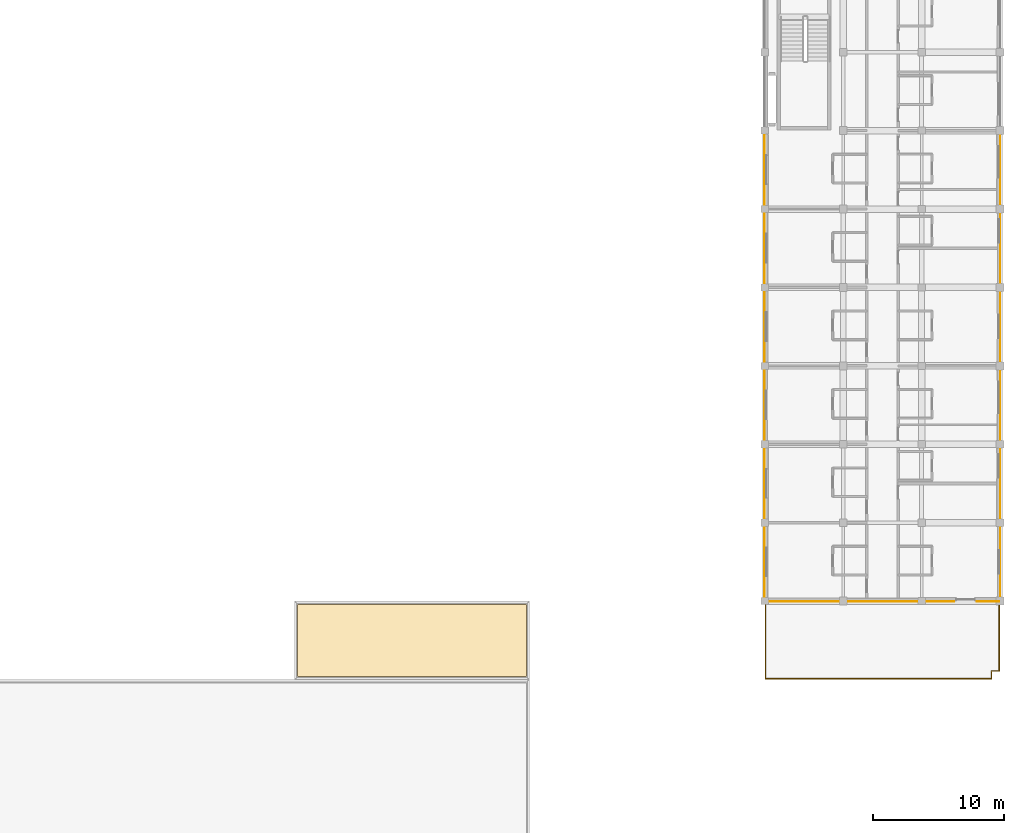
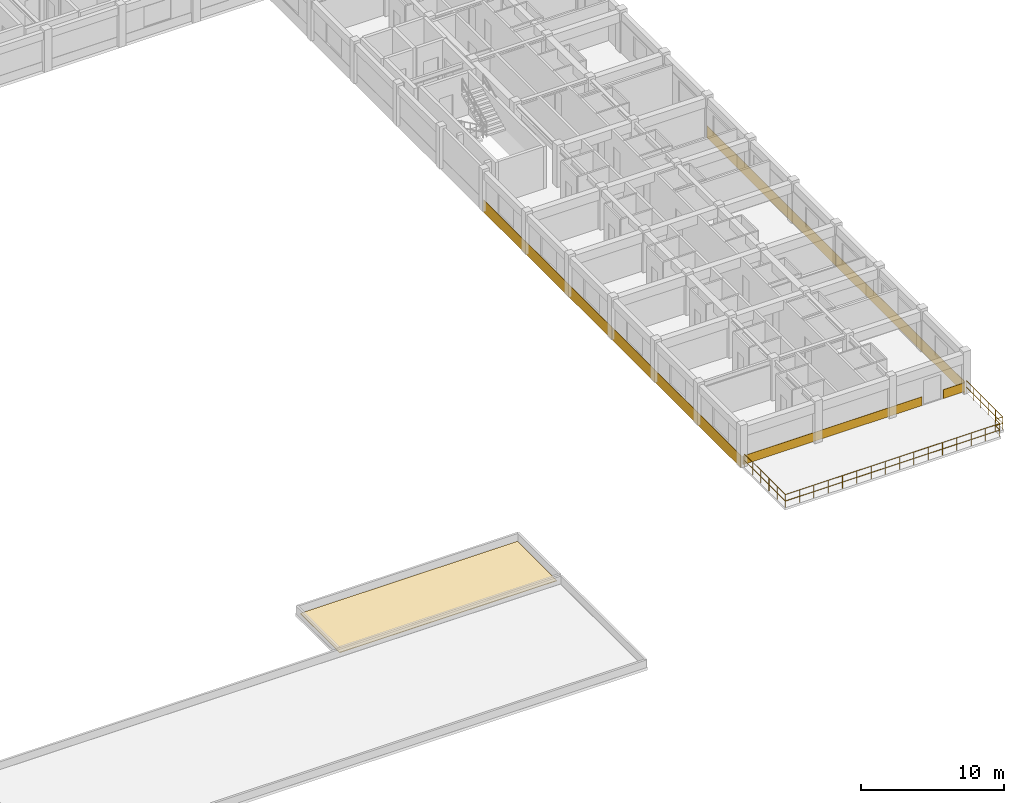
# One storey, part 22 of 25: 7 coverings, 2 railings.
"""IFC4 building model written with IfcOpenShell, lengths in metres."""

from ifc_helpers import new_model, si_unit, direction, frame, origin, origin_2d, place, context, subcontext, project, spatial, polyline, circle, outline, extrude, material, layer, layer_set, type_object, element, save


model = new_model("IFC4")

# Units and contexts
model_context = context("Model", 3, precision=1e-05, world=origin(), true_north=direction((0.0, 1.0)))
body_context = subcontext(model_context, "Body", "Model", "MODEL_VIEW")
ifc_project = project(units=[si_unit("LENGTHUNIT", "METRE"), si_unit("AREAUNIT", "SQUARE_METRE"), si_unit("VOLUMEUNIT", "CUBIC_METRE"), si_unit("PLANEANGLEUNIT", "RADIAN"), si_unit("MASSUNIT", "GRAM", prefix="KILO"), si_unit("THERMODYNAMICTEMPERATUREUNIT", "KELVIN"), si_unit("POWERUNIT", "WATT")], contexts=[model_context])

# Site, building, storey
site_placement = place(None, origin())
site = spatial("IfcSite", under=ifc_project, at=site_placement, CompositionType="ELEMENT")
building_placement = place(site_placement, origin())
building = spatial("IfcBuilding", under=site, at=building_placement, Name="Phaisarnlok Congress Hotel", CompositionType="ELEMENT")
storey_placement = place(building_placement, frame((0.0, 0.0, 24.60009765625)))
storey = spatial("IfcBuildingStorey", under=building, at=storey_placement, Name="L05", CompositionType="ELEMENT", Elevation=24.60009765625)

# Coverings
ifc_material_1 = material(Name="TPO Waterproofing Membrane & Rigid PIR Insulation", Category="other")
ifc_layer_1 = layer(ifc_material_1, 0.050048828125, Name="TPO Waterproofing Membrane & Rigid PIR Insulation")
ifc_layer_set_1 = layer_set([ifc_layer_1], Name="TPO Waterproofing Membrane & Rigid PIR Insulation")
covering_type_1 = type_object("IfcCoveringType", Name="COV-ROOF-MEMB", PredefinedType="ROOFING", material=ifc_layer_set_1)
covering_1_placement = place(storey_placement, origin())
element("IfcCovering", 1, at=covering_1_placement, inside=storey, type_object=covering_type_1, Name="Podium roof waterproofing membrane RF-01 (L05 pod_core6_cap)", PredefinedType="ROOFING", context=body_context, shape_type="SweptSolid", body=[
    extrude(outline(polyline([(126.25, 36.25), (143.75, 36.25), (143.75, 41.75), (126.25, 41.75), (126.25, 36.25)])), origin(), (0.0, 0.0, 1.0), 0.0498046875),
])
ifc_material_2 = material(Name="Anodised Silver Aluminium Alloy 6063-T6", Category="aluminium")
ifc_layer_2 = layer(ifc_material_2, 0.031982421875, Name="Anodised Silver Aluminium Alloy 6063-T6")
ifc_layer_set_2 = layer_set([ifc_layer_2], Name="Anodised Silver Aluminium Alloy 6063-T6")
covering_type_2 = type_object("IfcCoveringType", Name="COV-SPAND-ALU", PredefinedType="CLADDING", material=ifc_layer_set_2)
for number, where, z_axis, x_axis, name in (
    (2, (179.9951171875, 42.06005859375, -0.280029296875), (1.0, 0.0, 0.0), (0.0, 1.0, 0.0), "Swiss minimalist anodised silver rainscreen band CL-02 (L05 E)"),
    (3, (179.9951171875, 60.06005859375, -0.280029296875), (1.0, 0.0, 0.0), (0.0, 1.0, 0.0), "Swiss minimalist anodised silver rainscreen band CL-02 (L05 E)"),
    (4, (162.0048828125, 60.06005859375, -0.280029296875), (-1.0, 0.0, 0.0), (0.0, -1.0, 0.0), "Swiss minimalist anodised silver rainscreen band CL-02 (L05 W)"),
    (5, (162.0048828125, 78.06005859375, -0.280029296875), (-1.0, 0.0, 0.0), (0.0, -1.0, 0.0), "Swiss minimalist anodised silver rainscreen band CL-02 (L05 W)"),
):
    element("IfcCovering", number, at=place(storey_placement, frame(where, z_axis=z_axis, x_axis=x_axis)), inside=storey, type_object=covering_type_2, Name=name, PredefinedType="CLADDING", context=body_context, shape_type="SweptSolid", body=[
        extrude(outline(polyline([(0.0, 0.0), (18.0, 0.0), (18.0, 1.050048828125), (0.0, 1.050048828125), (0.0, 0.0)])), origin(), (0.0, 0.0, 1.0), 0.031982421875),
    ])
covering_2_placement = place(storey_placement, frame((162.06005859375, 42.0048828125, 0.02001953125), z_axis=(0.0, -1.0, 0.0), x_axis=(1.0, 0.0, 0.0)))
element("IfcCovering", 6, at=covering_2_placement, inside=storey, type_object=covering_type_2, Name="Swiss minimalist anodised silver rainscreen band CL-02 (L05 SG)", PredefinedType="CLADDING", context=body_context, shape_type="SweptSolid", body=[
    extrude(outline(polyline([(0.0, 0.0), (14.427001953125, 0.0), (14.427001953125, 0.75), (0.0, 0.75), (0.0, 0.0)])), origin(), (0.0, 0.0, 1.0), 0.031982421875),
])
covering_3_placement = place(storey_placement, frame((178.20703125, 42.0048828125, 0.02001953125), z_axis=(0.0, -1.0, 0.0), x_axis=(1.0, 0.0, 0.0)))
element("IfcCovering", 7, at=covering_3_placement, inside=storey, type_object=covering_type_2, Name="Swiss minimalist anodised silver rainscreen band CL-02 (L05 SG)", PredefinedType="CLADDING", context=body_context, shape_type="SweptSolid", body=[
    extrude(outline(polyline([(0.0, 0.0), (1.73291015625, 0.0), (1.73291015625, 0.75), (0.0, 0.75), (0.0, 0.0)])), origin(), (0.0, 0.0, 1.0), 0.031982421875),
])

# Railings
ifc_material_3 = material(Name="Laminated Glass & Stainless Steel Grade 316", Category="steel")
railing_type = type_object("IfcRailingType", Name="RLG-TER-1100", PredefinedType="BALUSTRADE", material=ifc_material_3)
railing_1_placement = place(storey_placement, frame((162.06005859375, 36.06005859375, 0.0)))
element("IfcRailing", 8, at=railing_1_placement, inside=storey, type_object=railing_type, Name="Terrace balustrade guard GD-01 (L05 south_terrace_5)", PredefinedType="BALUSTRADE", context=body_context, shape_type="SweptSolid", body=[
    extrude(circle(Radius=0.02392578125, at=origin_2d()), frame((0.0, 0.0, 1.076171875), z_axis=(0.0, 1.0, 0.0), x_axis=(-1.0, 0.0, 0.0)), (0.0, 0.0, 1.0), 5.699951171875),
    extrude(circle(Radius=0.02392578125, at=origin_2d()), frame((0.0, 0.0, 0.52587890625), z_axis=(0.0, 1.0, 0.0), x_axis=(-1.0, 0.0, 0.0)), (0.0, 0.0, 1.0), 5.699951171875),
    extrude(circle(Radius=0.02099609375, at=origin_2d()), origin(), (0.0, 0.0, 1.0), 1.052001953125),
    extrude(circle(Radius=0.02099609375, at=origin_2d()), frame((0.0, 1.139892578125, 0.0)), (0.0, 0.0, 1.0), 1.052001953125),
    extrude(circle(Radius=0.02099609375, at=origin_2d()), frame((0.0, 2.280029296875, 0.0)), (0.0, 0.0, 1.0), 1.052001953125),
    extrude(circle(Radius=0.02099609375, at=origin_2d()), frame((0.0, 3.419921875, 0.0)), (0.0, 0.0, 1.0), 1.052001953125),
    extrude(circle(Radius=0.02099609375, at=origin_2d()), frame((0.0, 4.56005859375, 0.0)), (0.0, 0.0, 1.0), 1.052001953125),
    extrude(circle(Radius=0.02099609375, at=origin_2d()), frame((0.0, 5.699951171875, 0.0)), (0.0, 0.0, 1.0), 1.052001953125),
])
railing_2_placement = place(storey_placement, frame((179.93994140625, 41.760009765625, 0.0)))
element("IfcRailing", 9, at=railing_2_placement, inside=storey, type_object=railing_type, Name="Terrace balustrade guard GD-01 (L05 south_terrace_5)", PredefinedType="BALUSTRADE", context=body_context, shape_type="SweptSolid", body=[
    extrude(circle(Radius=0.02392578125, at=origin_2d()), frame((0.0, 0.0, 1.076171875), z_axis=(0.0, -1.0, 0.0), x_axis=(1.0, 0.0, 0.0)), (0.0, 0.0, 1.0), 5.10009765625),
    extrude(circle(Radius=0.02392578125, at=origin_2d()), frame((0.0, 0.0, 0.52587890625), z_axis=(0.0, -1.0, 0.0), x_axis=(1.0, 0.0, 0.0)), (0.0, 0.0, 1.0), 5.10009765625),
    extrude(circle(Radius=0.02392578125, at=origin_2d()), frame((0.0, -5.10009765625, 1.076171875), z_axis=(-1.0, 0.0, 0.0), x_axis=(0.0, -1.0, 0.0)), (0.0, 0.0, 1.0), 0.599853515625),
    extrude(circle(Radius=0.02392578125, at=origin_2d()), frame((0.0, -5.10009765625, 0.52587890625), z_axis=(-1.0, 0.0, 0.0), x_axis=(0.0, -1.0, 0.0)), (0.0, 0.0, 1.0), 0.599853515625),
    extrude(circle(Radius=0.02392578125, at=origin_2d()), frame((-0.599853515625, -5.10009765625, 1.076171875), z_axis=(0.0, -1.0, 0.0), x_axis=(1.0, 0.0, 0.0)), (0.0, 0.0, 1.0), 0.599853515625),
    extrude(circle(Radius=0.02392578125, at=origin_2d()), frame((-0.599853515625, -5.10009765625, 0.52587890625), z_axis=(0.0, -1.0, 0.0), x_axis=(1.0, 0.0, 0.0)), (0.0, 0.0, 1.0), 0.599853515625),
    extrude(circle(Radius=0.02392578125, at=origin_2d()), frame((-0.599853515625, -5.699951171875, 1.076171875), z_axis=(-1.0, 0.0, 0.0), x_axis=(0.0, -1.0, 0.0)), (0.0, 0.0, 1.0), 17.280029296875),
    extrude(circle(Radius=0.02392578125, at=origin_2d()), frame((-0.599853515625, -5.699951171875, 0.52587890625), z_axis=(-1.0, 0.0, 0.0), x_axis=(0.0, -1.0, 0.0)), (0.0, 0.0, 1.0), 17.280029296875),
    extrude(circle(Radius=0.02099609375, at=origin_2d()), origin(), (0.0, 0.0, 1.0), 1.052001953125),
    extrude(circle(Radius=0.02099609375, at=origin_2d()), frame((0.0, -1.02001953125, 0.0)), (0.0, 0.0, 1.0), 1.052001953125),
    extrude(circle(Radius=0.02099609375, at=origin_2d()), frame((0.0, -2.0400390625, 0.0)), (0.0, 0.0, 1.0), 1.052001953125),
    extrude(circle(Radius=0.02099609375, at=origin_2d()), frame((0.0, -3.06005859375, 0.0)), (0.0, 0.0, 1.0), 1.052001953125),
    extrude(circle(Radius=0.02099609375, at=origin_2d()), frame((0.0, -4.080078125, 0.0)), (0.0, 0.0, 1.0), 1.052001953125),
    extrude(circle(Radius=0.02099609375, at=origin_2d()), frame((0.0, -5.10009765625, 0.0)), (0.0, 0.0, 1.0), 1.052001953125),
    extrude(circle(Radius=0.02099609375, at=origin_2d()), frame((-0.599853515625, -5.10009765625, 0.0)), (0.0, 0.0, 1.0), 1.052001953125),
    extrude(circle(Radius=0.02099609375, at=origin_2d()), frame((-0.599853515625, -5.699951171875, 0.0)), (0.0, 0.0, 1.0), 1.052001953125),
    extrude(circle(Radius=0.02099609375, at=origin_2d()), frame((-1.751953125, -5.699951171875, 0.0)), (0.0, 0.0, 1.0), 1.052001953125),
    extrude(circle(Radius=0.02099609375, at=origin_2d()), frame((-2.90380859375, -5.699951171875, 0.0)), (0.0, 0.0, 1.0), 1.052001953125),
    extrude(circle(Radius=0.02099609375, at=origin_2d()), frame((-4.055908203125, -5.699951171875, 0.0)), (0.0, 0.0, 1.0), 1.052001953125),
    extrude(circle(Radius=0.02099609375, at=origin_2d()), frame((-5.207763671875, -5.699951171875, 0.0)), (0.0, 0.0, 1.0), 1.052001953125),
    extrude(circle(Radius=0.02099609375, at=origin_2d()), frame((-6.35986328125, -5.699951171875, 0.0)), (0.0, 0.0, 1.0), 1.052001953125),
    extrude(circle(Radius=0.02099609375, at=origin_2d()), frame((-7.511962890625, -5.699951171875, 0.0)), (0.0, 0.0, 1.0), 1.052001953125),
    extrude(circle(Radius=0.02099609375, at=origin_2d()), frame((-8.663818359375, -5.699951171875, 0.0)), (0.0, 0.0, 1.0), 1.052001953125),
    extrude(circle(Radius=0.02099609375, at=origin_2d()), frame((-9.81591796875, -5.699951171875, 0.0)), (0.0, 0.0, 1.0), 1.052001953125),
    extrude(circle(Radius=0.02099609375, at=origin_2d()), frame((-10.9677734375, -5.699951171875, 0.0)), (0.0, 0.0, 1.0), 1.052001953125),
    extrude(circle(Radius=0.02099609375, at=origin_2d()), frame((-12.119873046875, -5.699951171875, 0.0)), (0.0, 0.0, 1.0), 1.052001953125),
    extrude(circle(Radius=0.02099609375, at=origin_2d()), frame((-13.27197265625, -5.699951171875, 0.0)), (0.0, 0.0, 1.0), 1.052001953125),
    extrude(circle(Radius=0.02099609375, at=origin_2d()), frame((-14.423828125, -5.699951171875, 0.0)), (0.0, 0.0, 1.0), 1.052001953125),
    extrude(circle(Radius=0.02099609375, at=origin_2d()), frame((-15.575927734375, -5.699951171875, 0.0)), (0.0, 0.0, 1.0), 1.052001953125),
    extrude(circle(Radius=0.02099609375, at=origin_2d()), frame((-16.727783203125, -5.699951171875, 0.0)), (0.0, 0.0, 1.0), 1.052001953125),
    extrude(circle(Radius=0.02099609375, at=origin_2d()), frame((-17.8798828125, -5.699951171875, 0.0)), (0.0, 0.0, 1.0), 1.052001953125),
])

save(model, "model.ifc")
